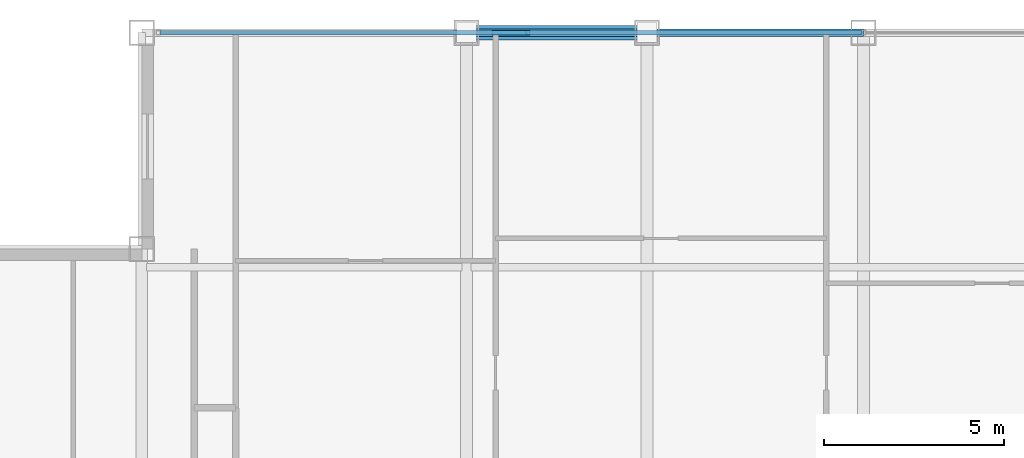
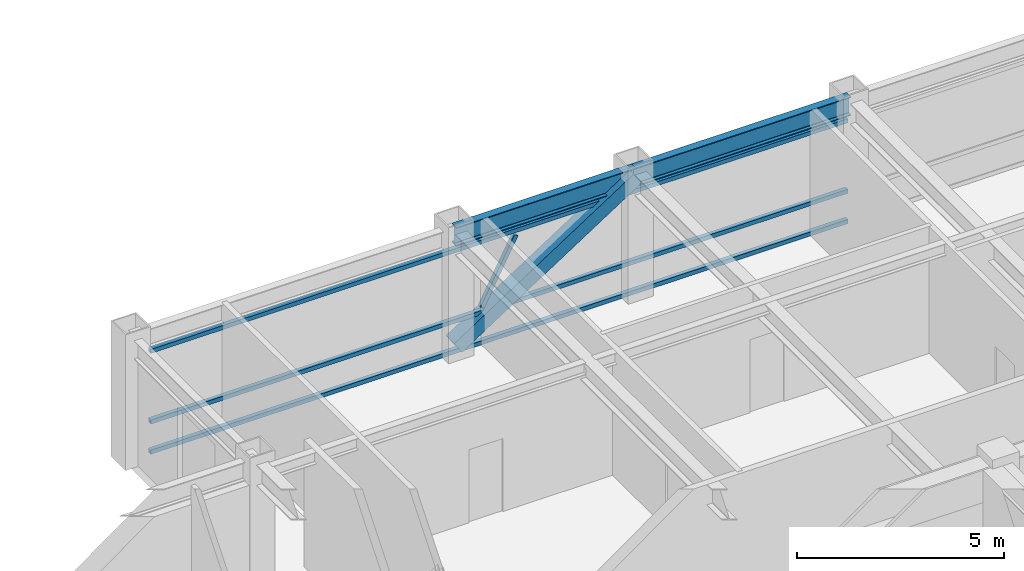
# One storey, part 17 of 29: 5 members, 2 beams, 1 element without a shape of its own.
"""IFC4 building model written with IfcOpenShell, lengths in metres."""

from ifc_helpers import new_model, si_unit, direction, frame, origin, origin_2d, place, context, subcontext, project, spatial, hollow_rectangle, i_section, extrude, source, transform, mapped, material, material_profile, profile_set, type_object, element, aggregate, save


model = new_model("IFC4")

# Units and contexts
model_context = context("Model", 3, precision=1e-05, world=origin(), true_north=direction((0.0, 1.0)))
body_context = subcontext(model_context, "Body", "Model", "MODEL_VIEW")
ifc_project = project(units=[si_unit("LENGTHUNIT", "METRE"), si_unit("AREAUNIT", "SQUARE_METRE"), si_unit("VOLUMEUNIT", "CUBIC_METRE"), si_unit("PLANEANGLEUNIT", "RADIAN"), si_unit("MASSUNIT", "GRAM", prefix="KILO")], contexts=[model_context])

# Site, building, storey
site_placement = place(None, origin())
site = spatial("IfcSite", under=ifc_project, at=site_placement, CompositionType="ELEMENT")
building_placement = place(site_placement, origin())
building = spatial("IfcBuilding", under=site, at=building_placement, Name="Khorayat Bourse Tower", CompositionType="ELEMENT")
storey_placement = place(building_placement, frame((0.0, 0.0, 362.300048828125)))
storey = spatial("IfcBuildingStorey", under=building, at=storey_placement, Name="L86", CompositionType="ELEMENT", Elevation=362.300048828125)

# Beams
ifc_material_1 = material(Name="Steel ASTM A992 Grade 50", Category="steel")
ifc_material_profile_1 = material_profile(ifc_material_1, i_section(OverallWidth=0.214111328125, OverallDepth=0.549072265625, WebThickness=0.0146484375, FlangeThickness=0.023681640625, FilletRadius=0.013916015625, at=origin_2d()), Name="W530X138")
ifc_profile_set_1 = profile_set([ifc_material_profile_1], Name="Steel ASTM A992 Grade 50")
beam_type = type_object("IfcBeamType", Name="BM-SPAN-530", PredefinedType="SPANDREL", material=ifc_profile_set_1)
shared_shape_1 = source(origin(), body_context, "Body", "SweptSolid", [
    extrude(i_section(OverallWidth=0.214111328125, OverallDepth=0.549072265625, WebThickness=0.0146484375, FlangeThickness=0.023681640625, FilletRadius=0.013916015625, at=origin_2d()), origin(), (0.0, 0.0, 1.0), 5.0),
])
beam_1_placement = place(storey_placement, frame((-11.0, 26.0, 3.46533203125), z_axis=(1.0, 0.0, 0.0), x_axis=(0.0, 1.0, 0.0)))
element("IfcBeam", 1, at=beam_1_placement, inside=storey, type_object=beam_type, Name="L86 BM-SPAN-530 BM-L86-SPN-044", PredefinedType="SPANDREL", context=body_context, shape_type="MappedRepresentation", body=[
    mapped(shared_shape_1, transform((0.0, 0.0, 0.0), scale=1.0)),
])
shared_shape_2 = source(origin(), body_context, "Body", "SweptSolid", [
    extrude(i_section(OverallWidth=0.214111328125, OverallDepth=0.549072265625, WebThickness=0.0146484375, FlangeThickness=0.023681640625, FilletRadius=0.013916015625, at=origin_2d()), origin(), (0.0, 0.0, 1.0), 6.0),
])
beam_2_placement = place(storey_placement, frame((-6.0, 26.0, 3.46533203125), z_axis=(1.0, 0.0, 0.0), x_axis=(0.0, 1.0, 0.0)))
element("IfcBeam", 2, at=beam_2_placement, inside=storey, type_object=beam_type, Name="L86 BM-SPAN-530 BM-L86-SPN-043", PredefinedType="SPANDREL", context=body_context, shape_type="MappedRepresentation", body=[
    mapped(shared_shape_2, transform((0.0, 0.0, 0.0), scale=1.0)),
])

# Member
ifc_material_2 = material(Name="Steel EN 10025-4 S460M", Category="steel")
ifc_material_profile_2 = material_profile(ifc_material_2, hollow_rectangle(XDim=0.39990234375, YDim=0.39990234375, WallThickness=0.02197265625, at=origin_2d()), Name="HSS 400x400x22")
ifc_profile_set_2 = profile_set([ifc_material_profile_2], Name="Steel EN 10025-4 S460M")
member_type_1 = type_object("IfcMemberType", Name="MBR-TUBE-400", PredefinedType="BRACE", material=ifc_profile_set_2)
shared_shape_3 = source(origin(), body_context, "Body", "SweptSolid", [
    extrude(hollow_rectangle(XDim=0.39990234375, YDim=0.39990234375, WallThickness=0.02197265625, at=origin_2d()), origin(), (0.0, 0.0, 1.0), 5.9580078125),
])
member_1_placement = place(storey_placement, frame((-11.0, 26.0, 0.25), z_axis=(0.839210474455, 0.0, 0.543806748364), x_axis=(0.0, 1.0, 0.0)))
element("IfcMember", 3, at=member_1_placement, inside=storey, type_object=member_type_1, Name="L86 Perimeter Tube Brace 03", PredefinedType="BRACE", context=body_context, shape_type="MappedRepresentation", body=[
    mapped(shared_shape_3, transform((0.0, 0.0, 0.0), scale=1.0)),
])

# Curtain wall, members
ifc_material_3 = material(Name="Aluminium EN AW-6063 T6", Category="aluminium")
curtain_wall_type = type_object("IfcCurtainWallType", Name="CW-SYS-04", PredefinedType="NOTDEFINED", material=ifc_material_3)
curtain_wall_placement = place(storey_placement, origin())
curtain_wall = element("IfcCurtainWall", 4, at=curtain_wall_placement, inside=storey, type_object=curtain_wall_type, Name="L86 Curtain Wall CW-L86-N1", PredefinedType="NOTDEFINED")
ifc_material_profile_3 = material_profile(ifc_material_3, hollow_rectangle(XDim=0.1201171875, YDim=0.1201171875, WallThickness=0.0048828125, at=origin_2d()), Name="ALU 120x120x5")
ifc_profile_set_3 = profile_set([ifc_material_profile_3], Name="Aluminium EN AW-6063 T6")
member_type_2 = type_object("IfcMemberType", Name="CWM-DIAG-120", PredefinedType="MULLION", material=ifc_profile_set_3)
shared_shape_4 = source(origin(), body_context, "Body", "SweptSolid", [
    extrude(hollow_rectangle(XDim=0.1201171875, YDim=0.1201171875, WallThickness=0.0048828125, at=origin_2d()), origin(), (0.0, 0.0, 1.0), 2.0341796875),
])
member_2_placement = place(storey_placement, frame((-10.24365234375, 26.0, 1.08984375), z_axis=(0.465696964104, 0.0, 0.884944256789), x_axis=(0.0, 1.0, 0.0)))
member_2 = element("IfcMember", 5, at=member_2_placement, type_object=member_type_2, Name="CW-L86-N1 Faceted Diagonal Mullion 1", PredefinedType="MULLION", context=body_context, shape_type="MappedRepresentation", body=[
    mapped(shared_shape_4, transform((0.0, 0.0, 0.0), scale=1.0)),
])
ifc_material_profile_4 = material_profile(ifc_material_3, hollow_rectangle(XDim=0.1201171875, YDim=0.1201171875, WallThickness=0.0048828125, at=origin_2d()), Name="ALU 120x120x5")
ifc_profile_set_4 = profile_set([ifc_material_profile_4], Name="Aluminium EN AW-6063 T6")
member_type_3 = type_object("IfcMemberType", Name="CWT-HORZ-120", PredefinedType="USERDEFINED", material=ifc_profile_set_4)
shared_shape_5 = source(origin(), body_context, "Body", "SweptSolid", [
    extrude(hollow_rectangle(XDim=0.1201171875, YDim=0.1201171875, WallThickness=0.0048828125, at=origin_2d()), origin(), (0.0, 0.0, 1.0), 19.419921875),
])
member_3_placement = place(storey_placement, frame((-19.47998046875, 26.0, 0.06005859375), z_axis=(1.0, 0.0, 0.0), x_axis=(0.0, 1.0, 0.0)))
member_3 = element("IfcMember", 6, at=member_3_placement, type_object=member_type_3, Name="CW-L86-N1 Horizontal Transom 1-1", ObjectType="TRANSOM", PredefinedType="USERDEFINED", context=body_context, shape_type="MappedRepresentation", body=[
    mapped(shared_shape_5, transform((0.0, 0.0, 0.0), scale=1.0)),
])
member_4_placement = place(storey_placement, frame((-19.47998046875, 26.0, 0.949951171875), z_axis=(1.0, 0.0, 0.0), x_axis=(0.0, 1.0, 0.0)))
member_4 = element("IfcMember", 7, at=member_4_placement, type_object=member_type_3, Name="CW-L86-N1 Horizontal Transom 1-2", ObjectType="TRANSOM", PredefinedType="USERDEFINED", context=body_context, shape_type="MappedRepresentation", body=[
    mapped(shared_shape_5, transform((0.0, 0.0, 0.0), scale=1.0)),
])
member_5_placement = place(storey_placement, frame((-19.47998046875, 26.0, 3.030029296875), z_axis=(1.0, 0.0, 0.0), x_axis=(0.0, 1.0, 0.0)))
member_5 = element("IfcMember", 8, at=member_5_placement, type_object=member_type_3, Name="CW-L86-N1 Horizontal Transom 1-3", ObjectType="TRANSOM", PredefinedType="USERDEFINED", context=body_context, shape_type="MappedRepresentation", body=[
    mapped(shared_shape_5, transform((0.0, 0.0, 0.0), scale=1.0)),
])
aggregate(curtain_wall, [member_3, member_4, member_5, member_2])

save(model, "model.ifc")
